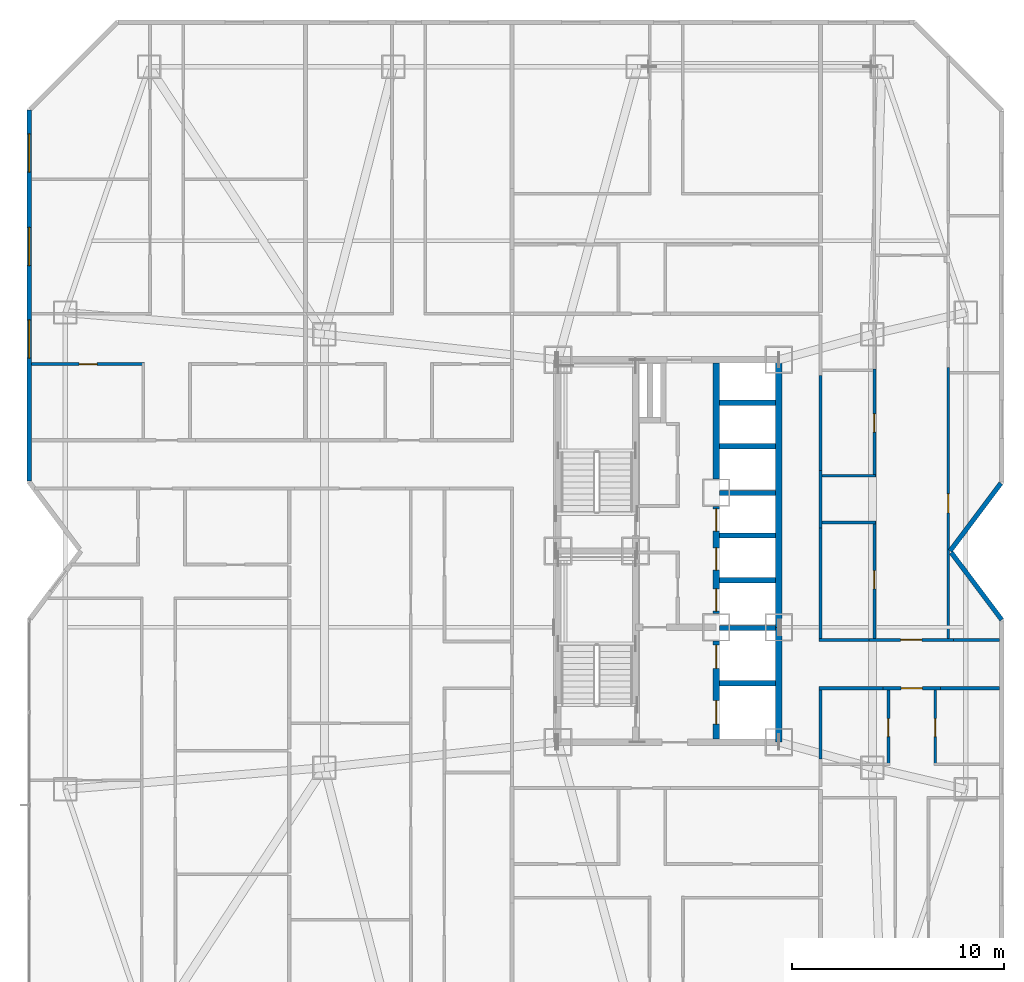
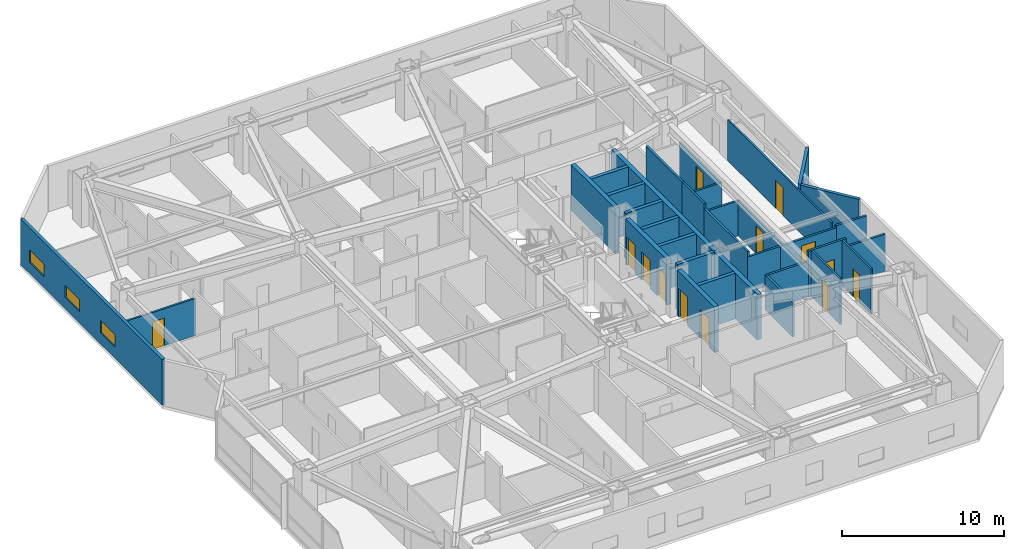
# One storey, part 14 of 18: 33 walls, 13 doors, 3 windows, 16 openings.
"""IFC4 building model written with IfcOpenShell, lengths in metres."""

from ifc_helpers import new_model, si_unit, direction, frame, frame_2d, origin, place, context, subcontext, project, spatial, rectangle, extrude, material, layer, layer_set, type_object, element, fill, save


model = new_model("IFC4")

# Units and contexts
model_context = context("Model", 3, precision=1e-05, world=origin(), true_north=direction((0.0, 1.0)))
body_context = subcontext(model_context, "Body", "Model", "MODEL_VIEW")
ifc_project = project(units=[si_unit("LENGTHUNIT", "METRE"), si_unit("AREAUNIT", "SQUARE_METRE"), si_unit("VOLUMEUNIT", "CUBIC_METRE"), si_unit("PLANEANGLEUNIT", "RADIAN"), si_unit("MASSUNIT", "GRAM", prefix="KILO")], contexts=[model_context])

# Site, building, storey
site_placement = place(None, origin())
site = spatial("IfcSite", under=ifc_project, at=site_placement, CompositionType="ELEMENT")
building_placement = place(site_placement, origin())
building = spatial("IfcBuilding", under=site, at=building_placement, Name="Khamvora Tower", CompositionType="ELEMENT")
storey_placement = place(building_placement, frame((0.0, 0.0, 47.89990234375)))
storey = spatial("IfcBuildingStorey", under=building, at=storey_placement, Name="L11", CompositionType="ELEMENT", Elevation=47.89990234375)

# Walls
ifc_material_1 = material(Name="Concrete C50/60", Category="concrete")
ifc_layer_1 = layer(ifc_material_1, 0.300048828125)
ifc_layer_set_1 = layer_set([ifc_layer_1], Name="Concrete C50/60")
wall_type_1 = type_object("IfcWallType", Name="WAL-CORE-300", PredefinedType="SHEAR", material=ifc_layer_set_1)
wall_1_placement = place(storey_placement, frame((39.39990234375, 19.0, 0.0), z_axis=(0.0, 0.0, 1.0), x_axis=(0.0, 1.0, 0.0)))
element("IfcWall", 1, at=wall_1_placement, inside=storey, type_object=wall_type_1, Name="L11 central core east south wall", PredefinedType="SHEAR", context=body_context, shape_type="SweptSolid", body=[
    extrude(rectangle(XDim=5.39990234375, YDim=0.300048828125, at=frame_2d((2.699951171875, 0.0))), origin(), (0.0, 0.0, 1.0), 3.43017578125),
])
wall_2_placement = place(storey_placement, frame((39.39990234375, 24.39990234375, 0.0), z_axis=(0.0, 0.0, 1.0), x_axis=(0.0, 1.0, 0.0)))
element("IfcWall", 2, at=wall_2_placement, inside=storey, type_object=wall_type_1, Name="L11 central core east north wall", PredefinedType="SHEAR", context=body_context, shape_type="SweptSolid", body=[
    extrude(rectangle(XDim=12.60009765625, YDim=0.300048828125, at=frame_2d((6.300048828125, 0.0))), origin(), (0.0, 0.0, 1.0), 3.43017578125),
])

# Wall, openings, doors
wall_3_placement = place(storey_placement, frame((36.449951171875, 19.154052734375, 0.0), z_axis=(0.0, 0.0, 1.0), x_axis=(0.0, 1.0, 0.0)))
wall_3 = element("IfcWall", 3, at=wall_3_placement, inside=storey, type_object=wall_type_1, Name="L11 central core lift bank south wall", PredefinedType="SHEAR", context=body_context, shape_type="SweptSolid", body=[
    extrude(rectangle(XDim=4.595947265625, YDim=0.300048828125, at=frame_2d((2.2978515625, 0.0))), origin(), (0.0, 0.0, 1.0), 3.43017578125),
])
opening_1_placement = place(wall_3_placement, frame((0.696044921875, 0.0, 0.0)))
opening_1 = element("IfcOpeningElement", 4, at=opening_1_placement, cuts=wall_3, Name="Opening LD-FFL", PredefinedType="OPENING", context=body_context, shape_type="SweptSolid", body=[
    extrude(rectangle(XDim=1.10009765625, YDim=2.14990234375, at=frame_2d((0.550048828125, 1.074951171875))), frame((0.0, 0.159912109375, 0.0), z_axis=(0.0, -1.0, 0.0), x_axis=(1.0, 0.0, 0.0)), (0.0, 0.0, 1.0), 0.320068359375),
])
opening_2_placement = place(wall_3_placement, frame((3.31591796875, 0.0, 0.0)))
opening_2 = element("IfcOpeningElement", 5, at=opening_2_placement, cuts=wall_3, Name="Opening LD-FFL", PredefinedType="OPENING", context=body_context, shape_type="SweptSolid", body=[
    extrude(rectangle(XDim=1.10009765625, YDim=2.14990234375, at=frame_2d((0.550048828125, 1.074951171875))), frame((0.0, 0.159912109375, 0.0), z_axis=(0.0, -1.0, 0.0), x_axis=(1.0, 0.0, 0.0)), (0.0, 0.0, 1.0), 0.320068359375),
])
ifc_material_2 = material(Name="Powder-Coated Steel and Hardwood Leaf", Category="steel")
door_type_1 = type_object("IfcDoorType", Name="DOR-LIFT-1100", OperationType="SLIDING_TO_LEFT", PredefinedType="DOOR", material=ifc_material_2)
door_1_placement = place(opening_1_placement, origin())
door_1 = element("IfcDoor", 6, at=door_1_placement, inside=storey, type_object=door_type_1, Name="L11 lift landing sliding door FFL-01", OperationType="SLIDING_TO_LEFT", OverallHeight=2.14990234375, OverallWidth=1.10009765625, PredefinedType="DOOR", context=body_context, shape_type="SweptSolid", body=[
    extrude(rectangle(XDim=1.10009765625, YDim=2.14990234375, at=frame_2d((0.550048828125, 1.074951171875))), frame((0.0, 0.02490234375, 0.0), z_axis=(0.0, -1.0, 0.0), x_axis=(1.0, 0.0, 0.0)), (0.0, 0.0, 1.0), 0.050048828125),
])
fill(opening_1, door_1)
door_2_placement = place(opening_2_placement, origin())
door_2 = element("IfcDoor", 7, at=door_2_placement, inside=storey, type_object=door_type_1, Name="L11 lift landing sliding door FFL-02", OperationType="SLIDING_TO_LEFT", OverallHeight=2.14990234375, OverallWidth=1.10009765625, PredefinedType="DOOR", context=body_context, shape_type="SweptSolid", body=[
    extrude(rectangle(XDim=1.10009765625, YDim=2.14990234375, at=frame_2d((0.550048828125, 1.074951171875))), frame((0.0, 0.02490234375, 0.0), z_axis=(0.0, -1.0, 0.0), x_axis=(1.0, 0.0, 0.0)), (0.0, 0.0, 1.0), 0.050048828125),
])
fill(opening_2, door_2)

wall_4_placement = place(storey_placement, frame((36.449951171875, 25.050048828125, 0.0), z_axis=(0.0, 0.0, 1.0), x_axis=(0.0, 1.0, 0.0)))
wall_4 = element("IfcWall", 8, at=wall_4_placement, inside=storey, type_object=wall_type_1, Name="L11 central core lift bank central wall", PredefinedType="SHEAR", context=body_context, shape_type="SweptSolid", body=[
    extrude(rectangle(XDim=5.050048828125, YDim=0.300048828125, at=frame_2d((2.52490234375, 0.0))), origin(), (0.0, 0.0, 1.0), 3.43017578125),
])
opening_3_placement = place(wall_4_placement, frame((0.1201171875, 0.0, 0.0)))
opening_3 = element("IfcOpeningElement", 9, at=opening_3_placement, cuts=wall_4, Name="Opening LD-PL", PredefinedType="OPENING", context=body_context, shape_type="SweptSolid", body=[
    extrude(rectangle(XDim=1.050048828125, YDim=2.14990234375, at=frame_2d((0.52490234375, 1.074951171875))), frame((0.0, 0.159912109375, 0.0), z_axis=(0.0, -1.0, 0.0), x_axis=(1.0, 0.0, 0.0)), (0.0, 0.0, 1.0), 0.320068359375),
])
opening_4_placement = place(wall_4_placement, frame((2.044921875, 0.0, 0.0)))
opening_4 = element("IfcOpeningElement", 10, at=opening_4_placement, cuts=wall_4, Name="Opening LD-PL", PredefinedType="OPENING", context=body_context, shape_type="SweptSolid", body=[
    extrude(rectangle(XDim=1.050048828125, YDim=2.14990234375, at=frame_2d((0.52490234375, 1.074951171875))), frame((0.0, 0.159912109375, 0.0), z_axis=(0.0, -1.0, 0.0), x_axis=(1.0, 0.0, 0.0)), (0.0, 0.0, 1.0), 0.320068359375),
])
opening_5_placement = place(wall_4_placement, frame((3.8798828125, 0.0, 0.0)))
opening_5 = element("IfcOpeningElement", 11, at=opening_5_placement, cuts=wall_4, Name="Opening LD-PL", PredefinedType="OPENING", context=body_context, shape_type="SweptSolid", body=[
    extrude(rectangle(XDim=1.050048828125, YDim=2.14990234375, at=frame_2d((0.52490234375, 1.074951171875))), frame((0.0, 0.159912109375, 0.0), z_axis=(0.0, -1.0, 0.0), x_axis=(1.0, 0.0, 0.0)), (0.0, 0.0, 1.0), 0.320068359375),
])
door_type_2 = type_object("IfcDoorType", Name="DOR-LIFT-1050", OperationType="SLIDING_TO_LEFT", PredefinedType="DOOR", material=ifc_material_2)
door_3_placement = place(opening_3_placement, origin())
door_3 = element("IfcDoor", 12, at=door_3_placement, inside=storey, type_object=door_type_2, Name="L11 lift landing sliding door PL-01", OperationType="SLIDING_TO_LEFT", OverallHeight=2.14990234375, OverallWidth=1.050048828125, PredefinedType="DOOR", context=body_context, shape_type="SweptSolid", body=[
    extrude(rectangle(XDim=1.050048828125, YDim=2.14990234375, at=frame_2d((0.52490234375, 1.074951171875))), frame((0.0, 0.02490234375, 0.0), z_axis=(0.0, -1.0, 0.0), x_axis=(1.0, 0.0, 0.0)), (0.0, 0.0, 1.0), 0.050048828125),
])
fill(opening_3, door_3)
door_4_placement = place(opening_4_placement, origin())
door_4 = element("IfcDoor", 13, at=door_4_placement, inside=storey, type_object=door_type_2, Name="L11 lift landing sliding door PL-02", OperationType="SLIDING_TO_LEFT", OverallHeight=2.14990234375, OverallWidth=1.050048828125, PredefinedType="DOOR", context=body_context, shape_type="SweptSolid", body=[
    extrude(rectangle(XDim=1.050048828125, YDim=2.14990234375, at=frame_2d((0.52490234375, 1.074951171875))), frame((0.0, 0.02490234375, 0.0), z_axis=(0.0, -1.0, 0.0), x_axis=(1.0, 0.0, 0.0)), (0.0, 0.0, 1.0), 0.050048828125),
])
fill(opening_4, door_4)
door_5_placement = place(opening_5_placement, origin())
door_5 = element("IfcDoor", 14, at=door_5_placement, inside=storey, type_object=door_type_2, Name="L11 lift landing sliding door PL-03", OperationType="SLIDING_TO_LEFT", OverallHeight=2.14990234375, OverallWidth=1.050048828125, PredefinedType="DOOR", context=body_context, shape_type="SweptSolid", body=[
    extrude(rectangle(XDim=1.050048828125, YDim=2.14990234375, at=frame_2d((0.52490234375, 1.074951171875))), frame((0.0, 0.02490234375, 0.0), z_axis=(0.0, -1.0, 0.0), x_axis=(1.0, 0.0, 0.0)), (0.0, 0.0, 1.0), 0.050048828125),
])
fill(opening_5, door_5)

# Wall
wall_5_placement = place(storey_placement, frame((36.449951171875, 31.39990234375, 0.0), z_axis=(0.0, 0.0, 1.0), x_axis=(0.0, 1.0, 0.0)))
element("IfcWall", 15, at=wall_5_placement, inside=storey, type_object=wall_type_1, Name="L11 central core lift bank north wall", PredefinedType="SHEAR", context=body_context, shape_type="SweptSolid", body=[
    extrude(rectangle(XDim=5.446044921875, YDim=0.300048828125, at=frame_2d((2.72314453125, 0.0))), origin(), (0.0, 0.0, 1.0), 3.43017578125),
])

# Wall, opening, door
ifc_material_3 = material(Name="Fire-Rated Drywall and Steel Stud", Category="steel")
ifc_layer_2 = layer(ifc_material_3, 0.14990234375)
ifc_layer_set_2 = layer_set([ifc_layer_2], Name="Fire-Rated Drywall and Steel Stud")
wall_type_2 = type_object("IfcWallType", Name="WAL-CORR-150", PredefinedType="STANDARD", material=ifc_layer_set_2)
wall_6_placement = place(storey_placement, frame((47.009033203125, 21.534912109375, 0.0), z_axis=(0.0, 0.0, 1.0), x_axis=(-1.0, 0.0, 0.0)))
wall_6 = element("IfcWall", 16, at=wall_6_placement, inside=storey, type_object=wall_type_2, Name="L11 interior partition wall 030", PredefinedType="STANDARD", context=body_context, shape_type="SweptSolid", body=[
    extrude(rectangle(XDim=2.697998046875, YDim=0.14990234375, at=frame_2d((1.34912109375, 0.0))), origin(), (0.0, 0.0, 1.0), 3.43017578125),
])
opening_6_placement = place(wall_6_placement, frame((0.84912109375, 0.0, 0.0)))
opening_6 = element("IfcOpeningElement", 17, at=opening_6_placement, cuts=wall_6, Name="Opening D-U1", PredefinedType="OPENING", context=body_context, shape_type="SweptSolid", body=[
    extrude(rectangle(XDim=1.0, YDim=2.14990234375, at=frame_2d((0.5, 1.074951171875))), frame((0.0, 0.0849609375, 0.0), z_axis=(0.0, -1.0, 0.0), x_axis=(1.0, 0.0, 0.0)), (0.0, 0.0, 1.0), 0.169921875),
])
door_type_3 = type_object("IfcDoorType", Name="DOR-UNIT-1000", OperationType="NOTDEFINED", PredefinedType="DOOR", material=ifc_material_2)
door_6_placement = place(opening_6_placement, origin())
door_6 = element("IfcDoor", 18, at=door_6_placement, inside=storey, type_object=door_type_3, Name="L11 interior door COR-11EAH", OperationType="SINGLE_SWING_LEFT", OverallHeight=2.14990234375, OverallWidth=1.0, PredefinedType="DOOR", context=body_context, shape_type="SweptSolid", body=[
    extrude(rectangle(XDim=1.0, YDim=2.14990234375, at=frame_2d((0.5, 1.074951171875))), frame((0.0, 0.02490234375, 0.0), z_axis=(0.0, -1.0, 0.0), x_axis=(1.0, 0.0, 0.0)), (0.0, 0.0, 1.0), 0.050048828125),
])
fill(opening_6, door_6)

# Walls
wall_7_placement = place(storey_placement, frame((44.31103515625, 21.534912109375, 0.0), z_axis=(0.0, 0.0, 1.0), x_axis=(-1.0, 0.0, 0.0)))
element("IfcWall", 19, at=wall_7_placement, inside=storey, type_object=wall_type_2, Name="L11 interior partition wall 032", PredefinedType="STANDARD", context=body_context, shape_type="SweptSolid", body=[
    extrude(rectangle(XDim=3.010986328125, YDim=0.14990234375, at=frame_2d((1.50537109375, 0.0))), origin(), (0.0, 0.0, 1.0), 2.647216796875),
])
wall_8_placement = place(storey_placement, frame((41.364990234375, 21.60009765625, 0.0), z_axis=(0.0, 0.0, 1.0), x_axis=(0.0, -1.0, 0.0)))
element("IfcWall", 20, at=wall_8_placement, inside=storey, type_object=wall_type_2, Name="L11 interior partition wall 033", PredefinedType="STANDARD", context=body_context, shape_type="SweptSolid", body=[
    extrude(rectangle(XDim=3.39599609375, YDim=0.14990234375, at=frame_2d((1.697998046875, 0.0))), origin(), (0.0, 0.0, 1.0), 2.647216796875),
])
wall_9_placement = place(storey_placement, frame((49.7880859375, 21.534912109375, 0.0), z_axis=(0.0, 0.0, 1.0), x_axis=(-1.0, 0.0, 0.0)))
element("IfcWall", 21, at=wall_9_placement, inside=storey, type_object=wall_type_2, Name="L11 interior partition wall 034", PredefinedType="STANDARD", context=body_context, shape_type="SweptSolid", body=[
    extrude(rectangle(XDim=2.779052734375, YDim=0.14990234375, at=frame_2d((1.3896484375, 0.0))), origin(), (0.0, 0.0, 1.0), 2.802978515625),
])
wall_10_placement = place(storey_placement, frame((41.364990234375, 31.7900390625, 0.0), z_axis=(0.0, 0.0, 1.0), x_axis=(0.0, -1.0, 0.0)))
element("IfcWall", 22, at=wall_10_placement, inside=storey, type_object=wall_type_2, Name="L11 interior partition wall 036", PredefinedType="STANDARD", context=body_context, shape_type="SweptSolid", body=[
    extrude(rectangle(XDim=2.697998046875, YDim=0.14990234375, at=frame_2d((1.34912109375, 0.0))), origin(), (0.0, 0.0, 1.0), 3.43017578125),
])

# Wall, opening, door
wall_11_placement = place(storey_placement, frame((43.64599609375, 23.81494140625, 0.0), z_axis=(0.0, 0.0, 1.0), x_axis=(1.0, 0.0, 0.0)))
wall_11 = element("IfcWall", 23, at=wall_11_placement, inside=storey, type_object=wall_type_2, Name="L11 interior partition wall 037", PredefinedType="STANDARD", context=body_context, shape_type="SweptSolid", body=[
    extrude(rectangle(XDim=3.97802734375, YDim=0.14990234375, at=frame_2d((1.989013671875, 0.0))), origin(), (0.0, 0.0, 1.0), 2.647216796875),
])
opening_7_placement = place(wall_11_placement, frame((1.489013671875, 0.0, 0.0)))
opening_7 = element("IfcOpeningElement", 24, at=opening_7_placement, cuts=wall_11, Name="Opening D-U1", PredefinedType="OPENING", context=body_context, shape_type="SweptSolid", body=[
    extrude(rectangle(XDim=1.0, YDim=2.14990234375, at=frame_2d((0.5, 1.074951171875))), frame((0.0, 0.0849609375, 0.0), z_axis=(0.0, -1.0, 0.0), x_axis=(1.0, 0.0, 0.0)), (0.0, 0.0, 1.0), 0.169921875),
])
door_7_placement = place(opening_7_placement, origin())
door_7 = element("IfcDoor", 25, at=door_7_placement, inside=storey, type_object=door_type_3, Name="L11 interior door COR-11EBH", OperationType="SINGLE_SWING_RIGHT", OverallHeight=2.14990234375, OverallWidth=1.0, PredefinedType="DOOR", context=body_context, shape_type="SweptSolid", body=[
    extrude(rectangle(XDim=1.0, YDim=2.14990234375, at=frame_2d((0.5, 1.074951171875))), frame((0.0, 0.02490234375, 0.0), z_axis=(0.0, -1.0, 0.0), x_axis=(1.0, 0.0, 0.0)), (0.0, 0.0, 1.0), 0.050048828125),
])
fill(opening_7, door_7)

# Walls
wall_12_placement = place(storey_placement, frame((41.364990234375, 36.257080078125, 0.0), z_axis=(0.0, 0.0, 1.0), x_axis=(0.0, -1.0, 0.0)))
element("IfcWall", 26, at=wall_12_placement, inside=storey, type_object=wall_type_2, Name="L11 interior partition wall 038", PredefinedType="STANDARD", context=body_context, shape_type="SweptSolid", body=[
    extrude(rectangle(XDim=4.467041015625, YDim=0.14990234375, at=frame_2d((2.2333984375, 0.0))), origin(), (0.0, 0.0, 1.0), 3.43017578125),
])
wall_13_placement = place(storey_placement, frame((41.364990234375, 29.092041015625, 0.0), z_axis=(0.0, 0.0, 1.0), x_axis=(0.0, -1.0, 0.0)))
element("IfcWall", 27, at=wall_13_placement, inside=storey, type_object=wall_type_2, Name="L11 interior partition wall 039", PredefinedType="STANDARD", context=body_context, shape_type="SweptSolid", body=[
    extrude(rectangle(XDim=5.342041015625, YDim=0.14990234375, at=frame_2d((2.6708984375, 0.0))), origin(), (0.0, 0.0, 1.0), 3.065185546875),
])
wall_14_placement = place(storey_placement, frame((41.300048828125, 23.81494140625, 0.0), z_axis=(0.0, 0.0, 1.0), x_axis=(1.0, 0.0, 0.0)))
element("IfcWall", 28, at=wall_14_placement, inside=storey, type_object=wall_type_2, Name="L11 interior partition wall 040", PredefinedType="STANDARD", context=body_context, shape_type="SweptSolid", body=[
    extrude(rectangle(XDim=2.345947265625, YDim=0.14990234375, at=frame_2d((1.1728515625, 0.0))), origin(), (0.0, 0.0, 1.0), 2.647216796875),
])
wall_15_placement = place(storey_placement, frame((47.6240234375, 23.81494140625, 0.0), z_axis=(0.0, 0.0, 1.0), x_axis=(1.0, 0.0, 0.0)))
element("IfcWall", 29, at=wall_15_placement, inside=storey, type_object=wall_type_2, Name="L11 interior partition wall 041", PredefinedType="STANDARD", context=body_context, shape_type="SweptSolid", body=[
    extrude(rectangle(XDim=2.1640625, YDim=0.14990234375, at=frame_2d((1.08203125, 0.0))), origin(), (0.0, 0.0, 1.0), 2.802978515625),
])

# Wall, openings, windows
ifc_material_4 = material(Name="Precast concrete C40/50", Category="concrete")
ifc_layer_3 = layer(ifc_material_4, 0.219970703125)
ifc_layer_set_3 = layer_set([ifc_layer_3], Name="Precast concrete C40/50")
wall_type_3 = type_object("IfcWallType", Name="WAL-EXT-220", PredefinedType="STANDARD", material=ifc_layer_set_3)
wall_16_placement = place(storey_placement, frame((4.110107421875, 31.294921875, 0.0), z_axis=(0.0, 0.0, 1.0), x_axis=(0.0, 1.0, 0.0)))
wall_16 = element("IfcWall", 30, at=wall_16_placement, inside=storey, type_object=wall_type_3, Name="L11 exterior facade wall 05.1", PredefinedType="STANDARD", context=body_context, shape_type="SweptSolid", body=[
    extrude(rectangle(XDim=17.458984375, YDim=0.219970703125, at=frame_2d((8.7294921875, 0.0))), origin(), (0.0, 0.0, 1.0), 3.43017578125),
])
opening_8_placement = place(wall_16_placement, frame((5.7900390625, 0.0, 0.85009765625)))
opening_8 = element("IfcOpeningElement", 31, at=opening_8_placement, cuts=wall_16, Name="Opening WN-09", PredefinedType="OPENING", context=body_context, shape_type="SweptSolid", body=[
    extrude(rectangle(XDim=1.800048828125, YDim=0.919921875, at=frame_2d((0.89990234375, 0.4599609375))), frame((0.0, 0.119873046875, 0.0), z_axis=(0.0, -1.0, 0.0), x_axis=(1.0, 0.0, 0.0)), (0.0, 0.0, 1.0), 0.239990234375),
])
opening_9_placement = place(wall_16_placement, frame((10.14306640625, 0.0, 0.85009765625)))
opening_9 = element("IfcOpeningElement", 32, at=opening_9_placement, cuts=wall_16, Name="Opening WN-09", PredefinedType="OPENING", context=body_context, shape_type="SweptSolid", body=[
    extrude(rectangle(XDim=1.800048828125, YDim=0.919921875, at=frame_2d((0.89990234375, 0.4599609375))), frame((0.0, 0.119873046875, 0.0), z_axis=(0.0, -1.0, 0.0), x_axis=(1.0, 0.0, 0.0)), (0.0, 0.0, 1.0), 0.239990234375),
])
opening_10_placement = place(wall_16_placement, frame((14.5400390625, 0.0, 0.85009765625)))
opening_10 = element("IfcOpeningElement", 33, at=opening_10_placement, cuts=wall_16, Name="Opening WN-09", PredefinedType="OPENING", context=body_context, shape_type="SweptSolid", body=[
    extrude(rectangle(XDim=1.800048828125, YDim=0.919921875, at=frame_2d((0.89990234375, 0.4599609375))), frame((0.0, 0.119873046875, 0.0), z_axis=(0.0, -1.0, 0.0), x_axis=(1.0, 0.0, 0.0)), (0.0, 0.0, 1.0), 0.239990234375),
])
ifc_material_5 = material(Name="Low-E Laminated Double Glazing", Category="glass")
window_type = type_object("IfcWindowType", Name="WIN-CLR-1800x920", PartitioningType="SINGLE_PANEL", PredefinedType="WINDOW", material=ifc_material_5)
window_1_placement = place(opening_8_placement, origin())
window_1 = element("IfcWindow", 34, at=window_1_placement, inside=storey, type_object=window_type, Name="L11 vision window 05.1.01", OverallHeight=0.919921875, OverallWidth=1.800048828125, PartitioningType="SINGLE_PANEL", PredefinedType="WINDOW", context=body_context, shape_type="SweptSolid", body=[
    extrude(rectangle(XDim=1.800048828125, YDim=0.919921875, at=frame_2d((0.89990234375, 0.4599609375))), frame((0.0, 0.030029296875, 0.0), z_axis=(0.0, -1.0, 0.0), x_axis=(1.0, 0.0, 0.0)), (0.0, 0.0, 1.0), 0.06005859375),
])
fill(opening_8, window_1)
window_2_placement = place(opening_9_placement, origin())
window_2 = element("IfcWindow", 35, at=window_2_placement, inside=storey, type_object=window_type, Name="L11 vision window 05.1.02", OverallHeight=0.919921875, OverallWidth=1.800048828125, PartitioningType="SINGLE_PANEL", PredefinedType="WINDOW", context=body_context, shape_type="SweptSolid", body=[
    extrude(rectangle(XDim=1.800048828125, YDim=0.919921875, at=frame_2d((0.89990234375, 0.4599609375))), frame((0.0, 0.030029296875, 0.0), z_axis=(0.0, -1.0, 0.0), x_axis=(1.0, 0.0, 0.0)), (0.0, 0.0, 1.0), 0.06005859375),
])
fill(opening_9, window_2)
window_3_placement = place(opening_10_placement, origin())
window_3 = element("IfcWindow", 36, at=window_3_placement, inside=storey, type_object=window_type, Name="L11 vision window 05.1.03", OverallHeight=0.919921875, OverallWidth=1.800048828125, PartitioningType="SINGLE_PANEL", PredefinedType="WINDOW", context=body_context, shape_type="SweptSolid", body=[
    extrude(rectangle(XDim=1.800048828125, YDim=0.919921875, at=frame_2d((0.89990234375, 0.4599609375))), frame((0.0, 0.030029296875, 0.0), z_axis=(0.0, -1.0, 0.0), x_axis=(1.0, 0.0, 0.0)), (0.0, 0.0, 1.0), 0.06005859375),
])
fill(opening_10, window_3)

# Walls
wall_17_placement = place(storey_placement, frame((49.85595703125, 31.19091796875, 0.0), z_axis=(0.0, 0.0, 1.0), x_axis=(-0.600137081448, -0.799897170561, 0.0)))
element("IfcWall", 37, at=wall_17_placement, inside=storey, type_object=wall_type_3, Name="L11 exterior facade wall 10.1", PredefinedType="STANDARD", context=body_context, shape_type="SweptSolid", body=[
    extrude(rectangle(XDim=3.9892578125, YDim=0.219970703125, at=frame_2d((1.99462890625, 0.0))), origin(), (0.0, 0.0, 1.0), 3.43017578125),
])
wall_18_placement = place(storey_placement, frame((47.51904296875, 27.923095703125, 0.0), z_axis=(0.0, 0.0, 1.0), x_axis=(0.600118645218, -0.799911002338, 0.0)))
element("IfcWall", 38, at=wall_18_placement, inside=storey, type_object=wall_type_3, Name="L11 exterior facade wall 11.1", PredefinedType="STANDARD", context=body_context, shape_type="SweptSolid", body=[
    extrude(rectangle(XDim=3.95068359375, YDim=0.219970703125, at=frame_2d((1.975341796875, 0.0))), origin(), (0.0, 0.0, 1.0), 3.43017578125),
])

# Wall, opening, door
ifc_material_6 = material(Name="Gypsum Plasterboard Partition", Category="gypsum")
ifc_layer_4 = layer(ifc_material_6, 0.1201171875)
ifc_layer_set_4 = layer_set([ifc_layer_4], Name="Gypsum Plasterboard Partition")
wall_type_4 = type_object("IfcWallType", Name="WAL-PART-120", PredefinedType="PARTITIONING", material=ifc_layer_set_4)
wall_19_placement = place(storey_placement, frame((47.375, 36.635986328125, 0.0), z_axis=(0.0, 0.0, 1.0), x_axis=(0.0, -1.0, 0.0)))
wall_19 = element("IfcWall", 39, at=wall_19_placement, inside=storey, type_object=wall_type_4, Name="L11 interior partition wall 144", PredefinedType="PARTITIONING", context=body_context, shape_type="SweptSolid", body=[
    extrude(rectangle(XDim=12.75390625, YDim=0.1201171875, at=frame_2d((6.376953125, 0.0))), origin(), (0.0, 0.0, 1.0), 3.065185546875),
])
opening_11_placement = place(wall_19_placement, frame((5.947998046875, 0.0, 0.0)))
opening_11 = element("IfcOpeningElement", 40, at=opening_11_placement, cuts=wall_19, Name="Opening D-RM1", PredefinedType="OPENING", context=body_context, shape_type="SweptSolid", body=[
    extrude(rectangle(XDim=0.89990234375, YDim=2.10009765625, at=frame_2d((0.449951171875, 1.050048828125))), frame((0.0, 0.070068359375, 0.0), z_axis=(0.0, -1.0, 0.0), x_axis=(1.0, 0.0, 0.0)), (0.0, 0.0, 1.0), 0.14013671875),
])
door_type_4 = type_object("IfcDoorType", Name="DOR-ROOM-900", OperationType="NOTDEFINED", PredefinedType="DOOR", material=ifc_material_2)
door_8_placement = place(opening_11_placement, origin())
door_8 = element("IfcDoor", 41, at=door_8_placement, inside=storey, type_object=door_type_4, Name="L11 interior door 11EBH-11EBL", OperationType="SINGLE_SWING_LEFT", OverallHeight=2.10009765625, OverallWidth=0.89990234375, PredefinedType="DOOR", context=body_context, shape_type="SweptSolid", body=[
    extrude(rectangle(XDim=0.89990234375, YDim=2.10009765625, at=frame_2d((0.449951171875, 1.050048828125))), frame((0.0, 0.02490234375, 0.0), z_axis=(0.0, -1.0, 0.0), x_axis=(1.0, 0.0, 0.0)), (0.0, 0.0, 1.0), 0.050048828125),
])
fill(opening_11, door_8)

# Walls
ifc_material_7 = material(Name="Concrete C40/50", Category="concrete")
ifc_layer_5 = layer(ifc_material_7, 0.25)
ifc_layer_set_5 = layer_set([ifc_layer_5], Name="Concrete C40/50")
wall_type_5 = type_object("IfcWallType", Name="WAL-PODS-250", PredefinedType="SHEAR", material=ifc_layer_set_5)
for number, where, z_axis, x_axis, name in (
    (42, (36.60400390625, 21.77490234375, 0.0), (0.0, 0.0, 1.0), (1.0, 0.0, 0.0), "L11 lift shaft divider wall FFL-01"),
    (43, (36.60400390625, 24.375, 0.0), (0.0, 0.0, 1.0), (1.0, 0.0, 0.0), "L11 lift shaft divider wall FFL-02"),
    (44, (36.60400390625, 26.625, 0.0), (0.0, 0.0, 1.0), (1.0, 0.0, 0.0), "L11 lift shaft divider wall PL-01"),
    (45, (36.60400390625, 28.72509765625, 0.0), (0.0, 0.0, 1.0), (1.0, 0.0, 0.0), "L11 lift shaft divider wall PL-02"),
    (46, (36.60400390625, 30.72509765625, 0.0), (0.0, 0.0, 1.0), (1.0, 0.0, 0.0), "L11 lift shaft divider wall PL-03"),
    (47, (36.60400390625, 32.925048828125, 0.0), (0.0, 0.0, 1.0), (1.0, 0.0, 0.0), "L11 lift shaft divider wall PH-01"),
    (48, (36.60400390625, 34.97509765625, 0.0), (0.0, 0.0, 1.0), (1.0, 0.0, 0.0), "L11 lift shaft divider wall PH-02"),
):
    element("IfcWall", number, at=place(storey_placement, frame(where, z_axis=z_axis, x_axis=x_axis)), inside=storey, type_object=wall_type_5, Name=name, PredefinedType="SHEAR", context=body_context, shape_type="SweptSolid", body=[
        extrude(rectangle(XDim=2.64208984375, YDim=0.25, at=frame_2d((1.321044921875, 0.0))), origin(), (0.0, 0.0, 1.0), 3.43017578125),
    ])

# Wall, opening, door
ifc_material_8 = material(Name="Moisture-Resistant Plasterboard Partition", Category="gypsum")
ifc_layer_6 = layer(ifc_material_8, 0.135009765625)
ifc_layer_set_6 = layer_set([ifc_layer_6], Name="Moisture-Resistant Plasterboard Partition")
wall_type_6 = type_object("IfcWallType", Name="WAL-WET-135", PredefinedType="PARTITIONING", material=ifc_layer_set_6)
wall_20_placement = place(storey_placement, frame((9.5400390625, 36.794921875, 0.0), z_axis=(0.0, 0.0, 1.0), x_axis=(-1.0, 0.0, 0.0)))
wall_20 = element("IfcWall", 49, at=wall_20_placement, inside=storey, type_object=wall_type_6, Name="L11 interior partition wall 078", PredefinedType="PARTITIONING", context=body_context, shape_type="SweptSolid", body=[
    extrude(rectangle(XDim=5.328125, YDim=0.135009765625, at=frame_2d((2.6640625, 0.0))), origin(), (0.0, 0.0, 1.0), 2.802978515625),
])
opening_12_placement = place(wall_20_placement, frame((2.239013671875, 0.0, 0.0)))
opening_12 = element("IfcOpeningElement", 50, at=opening_12_placement, cuts=wall_20, Name="Opening D-WC1", PredefinedType="OPENING", context=body_context, shape_type="SweptSolid", body=[
    extrude(rectangle(XDim=0.85009765625, YDim=2.10009765625, at=frame_2d((0.425048828125, 1.050048828125))), frame((0.0, 0.077392578125, 0.0), z_axis=(0.0, -1.0, 0.0), x_axis=(1.0, 0.0, 0.0)), (0.0, 0.0, 1.0), 0.155029296875),
])
door_type_5 = type_object("IfcDoorType", Name="DOR-WET-850", OperationType="NOTDEFINED", PredefinedType="DOOR", material=ifc_material_2)
door_9_placement = place(opening_12_placement, origin())
door_9 = element("IfcDoor", 51, at=door_9_placement, inside=storey, type_object=door_type_5, Name="L11 interior door 11WBH-11WBB", OperationType="SINGLE_SWING_RIGHT", OverallHeight=2.10009765625, OverallWidth=0.85009765625, PredefinedType="DOOR", context=body_context, shape_type="SweptSolid", body=[
    extrude(rectangle(XDim=0.85009765625, YDim=2.10009765625, at=frame_2d((0.425048828125, 1.050048828125))), frame((0.0, 0.02490234375, 0.0), z_axis=(0.0, -1.0, 0.0), x_axis=(1.0, 0.0, 0.0)), (0.0, 0.0, 1.0), 0.050048828125),
])
fill(opening_12, door_9)

wall_21_placement = place(storey_placement, frame((44.56005859375, 17.889892578125, 0.0), z_axis=(0.0, 0.0, 1.0), x_axis=(0.0, 1.0, 0.0)))
wall_21 = element("IfcWall", 52, at=wall_21_placement, inside=storey, type_object=wall_type_6, Name="L11 interior partition wall 128", PredefinedType="PARTITIONING", context=body_context, shape_type="SweptSolid", body=[
    extrude(rectangle(XDim=3.580078125, YDim=0.135009765625, at=frame_2d((1.7900390625, 0.0))), origin(), (0.0, 0.0, 1.0), 3.43017578125),
])
opening_13_placement = place(wall_21_placement, frame((1.364990234375, 0.0, 0.0)))
opening_13 = element("IfcOpeningElement", 53, at=opening_13_placement, cuts=wall_21, Name="Opening D-WC1", PredefinedType="OPENING", context=body_context, shape_type="SweptSolid", body=[
    extrude(rectangle(XDim=0.85009765625, YDim=2.10009765625, at=frame_2d((0.425048828125, 1.050048828125))), frame((0.0, 0.077392578125, 0.0), z_axis=(0.0, -1.0, 0.0), x_axis=(1.0, 0.0, 0.0)), (0.0, 0.0, 1.0), 0.155029296875),
])
door_10_placement = place(opening_13_placement, origin())
door_10 = element("IfcDoor", 54, at=door_10_placement, inside=storey, type_object=door_type_5, Name="L11 interior door 11EAH-11EAB", OperationType="SINGLE_SWING_RIGHT", OverallHeight=2.10009765625, OverallWidth=0.85009765625, PredefinedType="DOOR", context=body_context, shape_type="SweptSolid", body=[
    extrude(rectangle(XDim=0.85009765625, YDim=2.10009765625, at=frame_2d((0.425048828125, 1.050048828125))), frame((0.0, 0.02490234375, 0.0), z_axis=(0.0, -1.0, 0.0), x_axis=(1.0, 0.0, 0.0)), (0.0, 0.0, 1.0), 0.050048828125),
])
fill(opening_13, door_10)

wall_22_placement = place(storey_placement, frame((46.760009765625, 21.469970703125, 0.0), z_axis=(0.0, 0.0, 1.0), x_axis=(0.0, -1.0, 0.0)))
wall_22 = element("IfcWall", 55, at=wall_22_placement, inside=storey, type_object=wall_type_6, Name="L11 interior partition wall 129", PredefinedType="PARTITIONING", context=body_context, shape_type="SweptSolid", body=[
    extrude(rectangle(XDim=3.580078125, YDim=0.135009765625, at=frame_2d((1.7900390625, 0.0))), origin(), (0.0, 0.0, 1.0), 3.43017578125),
])
opening_14_placement = place(wall_22_placement, frame((1.364990234375, 0.0, 0.0)))
opening_14 = element("IfcOpeningElement", 56, at=opening_14_placement, cuts=wall_22, Name="Opening D-RM2", PredefinedType="OPENING", context=body_context, shape_type="SweptSolid", body=[
    extrude(rectangle(XDim=0.85009765625, YDim=2.10009765625, at=frame_2d((0.425048828125, 1.050048828125))), frame((0.0, 0.077392578125, 0.0), z_axis=(0.0, -1.0, 0.0), x_axis=(1.0, 0.0, 0.0)), (0.0, 0.0, 1.0), 0.155029296875),
])
door_type_6 = type_object("IfcDoorType", Name="DOR-ROOM-850", OperationType="NOTDEFINED", PredefinedType="DOOR", material=ifc_material_2)
door_11_placement = place(opening_14_placement, origin())
door_11 = element("IfcDoor", 57, at=door_11_placement, inside=storey, type_object=door_type_6, Name="L11 interior door 11EAH-11EAK", OperationType="SINGLE_SWING_LEFT", OverallHeight=2.10009765625, OverallWidth=0.85009765625, PredefinedType="DOOR", context=body_context, shape_type="SweptSolid", body=[
    extrude(rectangle(XDim=0.85009765625, YDim=2.10009765625, at=frame_2d((0.425048828125, 1.050048828125))), frame((0.0, 0.02490234375, 0.0), z_axis=(0.0, -1.0, 0.0), x_axis=(1.0, 0.0, 0.0)), (0.0, 0.0, 1.0), 0.050048828125),
])
fill(opening_14, door_11)

# Wall
wall_23_placement = place(storey_placement, frame((41.431884765625, 31.541015625, 0.0), z_axis=(0.0, 0.0, 1.0), x_axis=(1.0, 0.0, 0.0)))
element("IfcWall", 58, at=wall_23_placement, inside=storey, type_object=wall_type_6, Name="L11 interior partition wall 140", PredefinedType="PARTITIONING", context=body_context, shape_type="SweptSolid", body=[
    extrude(rectangle(XDim=2.528076171875, YDim=0.135009765625, at=frame_2d((1.26416015625, 0.0))), origin(), (0.0, 0.0, 1.0), 2.647216796875),
])

# Wall, opening, door
wall_24_placement = place(storey_placement, frame((43.89501953125, 31.47607421875, 0.0), z_axis=(0.0, 0.0, 1.0), x_axis=(0.0, 1.0, 0.0)))
wall_24 = element("IfcWall", 59, at=wall_24_placement, inside=storey, type_object=wall_type_6, Name="L11 interior partition wall 141", PredefinedType="PARTITIONING", context=body_context, shape_type="SweptSolid", body=[
    extrude(rectangle(XDim=5.094970703125, YDim=0.135009765625, at=frame_2d((2.54736328125, 0.0))), origin(), (0.0, 0.0, 1.0), 2.647216796875),
])
opening_15_placement = place(wall_24_placement, frame((2.123046875, 0.0, 0.0)))
opening_15 = element("IfcOpeningElement", 60, at=opening_15_placement, cuts=wall_24, Name="Opening D-WC1", PredefinedType="OPENING", context=body_context, shape_type="SweptSolid", body=[
    extrude(rectangle(XDim=0.85009765625, YDim=2.10009765625, at=frame_2d((0.425048828125, 1.050048828125))), frame((0.0, 0.077392578125, 0.0), z_axis=(0.0, -1.0, 0.0), x_axis=(1.0, 0.0, 0.0)), (0.0, 0.0, 1.0), 0.155029296875),
])
door_12_placement = place(opening_15_placement, origin())
door_12 = element("IfcDoor", 61, at=door_12_placement, inside=storey, type_object=door_type_5, Name="L11 interior door 11EBH-11EBB", OperationType="SINGLE_SWING_LEFT", OverallHeight=2.10009765625, OverallWidth=0.85009765625, PredefinedType="DOOR", context=body_context, shape_type="SweptSolid", body=[
    extrude(rectangle(XDim=0.85009765625, YDim=2.10009765625, at=frame_2d((0.425048828125, 1.050048828125))), frame((0.0, 0.02490234375, 0.0), z_axis=(0.0, -1.0, 0.0), x_axis=(1.0, 0.0, 0.0)), (0.0, 0.0, 1.0), 0.050048828125),
])
fill(opening_15, door_12)

wall_25_placement = place(storey_placement, frame((43.89501953125, 23.882080078125, 0.0), z_axis=(0.0, 0.0, 1.0), x_axis=(0.0, 1.0, 0.0)))
wall_25 = element("IfcWall", 62, at=wall_25_placement, inside=storey, type_object=wall_type_6, Name="L11 interior partition wall 142", PredefinedType="PARTITIONING", context=body_context, shape_type="SweptSolid", body=[
    extrude(rectangle(XDim=5.52392578125, YDim=0.135009765625, at=frame_2d((2.761962890625, 0.0))), origin(), (0.0, 0.0, 1.0), 2.647216796875),
])
opening_16_placement = place(wall_25_placement, frame((2.3369140625, 0.0, 0.0)))
opening_16 = element("IfcOpeningElement", 63, at=opening_16_placement, cuts=wall_25, Name="Opening D-RM2", PredefinedType="OPENING", context=body_context, shape_type="SweptSolid", body=[
    extrude(rectangle(XDim=0.85009765625, YDim=2.10009765625, at=frame_2d((0.425048828125, 1.050048828125))), frame((0.0, 0.077392578125, 0.0), z_axis=(0.0, -1.0, 0.0), x_axis=(1.0, 0.0, 0.0)), (0.0, 0.0, 1.0), 0.155029296875),
])
door_13_placement = place(opening_16_placement, origin())
door_13 = element("IfcDoor", 64, at=door_13_placement, inside=storey, type_object=door_type_6, Name="L11 interior door 11EBH-11EBK", OperationType="SINGLE_SWING_RIGHT", OverallHeight=2.10009765625, OverallWidth=0.85009765625, PredefinedType="DOOR", context=body_context, shape_type="SweptSolid", body=[
    extrude(rectangle(XDim=0.85009765625, YDim=2.10009765625, at=frame_2d((0.425048828125, 1.050048828125))), frame((0.0, 0.02490234375, 0.0), z_axis=(0.0, -1.0, 0.0), x_axis=(1.0, 0.0, 0.0)), (0.0, 0.0, 1.0), 0.050048828125),
])
fill(opening_16, door_13)

# Wall
wall_26_placement = place(storey_placement, frame((43.9599609375, 29.341064453125, 0.0), z_axis=(0.0, 0.0, 1.0), x_axis=(-1.0, 0.0, 0.0)))
element("IfcWall", 65, at=wall_26_placement, inside=storey, type_object=wall_type_6, Name="L11 interior partition wall 143", PredefinedType="PARTITIONING", context=body_context, shape_type="SweptSolid", body=[
    extrude(rectangle(XDim=2.528076171875, YDim=0.135009765625, at=frame_2d((1.26416015625, 0.0))), origin(), (0.0, 0.0, 1.0), 2.647216796875),
])

save(model, "model.ifc")
